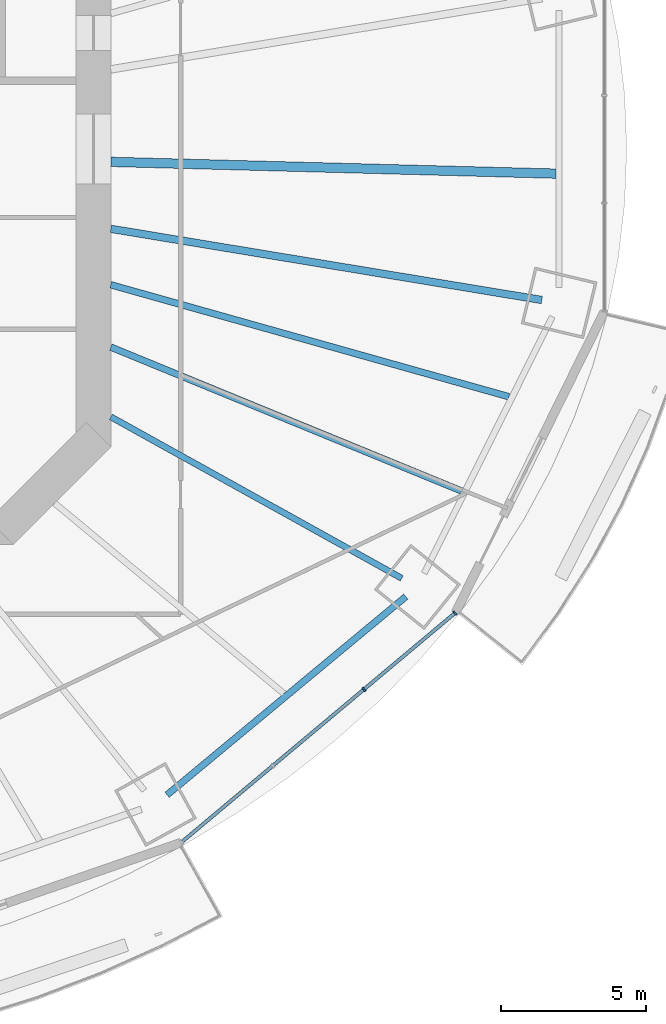
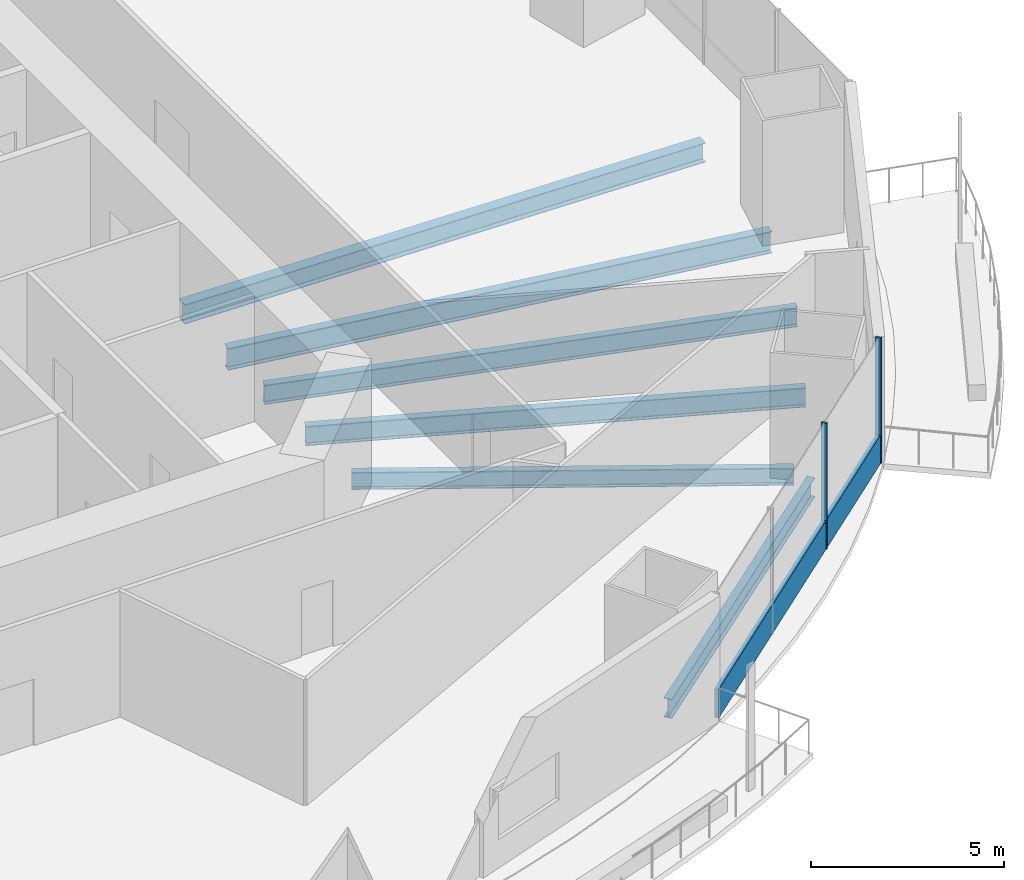
# One storey, part 5 of 22: 6 beams, 3 members, 1 element without a shape of its own.
"""IFC4 building model written with IfcOpenShell, lengths in metres."""

from ifc_helpers import new_model, si_unit, direction, frame, origin, origin_2d, place, context, subcontext, project, spatial, rectangle, i_section, extrude, material, material_profile, profile_set, type_object, element, aggregate, save


model = new_model("IFC4")

# Units and contexts
model_context = context("Model", 3, precision=1e-05, world=origin(), true_north=direction((0.0, 1.0)))
body_context = subcontext(model_context, "Body", "Model", "MODEL_VIEW")
ifc_project = project(units=[si_unit("LENGTHUNIT", "METRE"), si_unit("AREAUNIT", "SQUARE_METRE"), si_unit("VOLUMEUNIT", "CUBIC_METRE"), si_unit("PLANEANGLEUNIT", "RADIAN"), si_unit("MASSUNIT", "GRAM", prefix="KILO")], contexts=[model_context])

# Site, building, storey
site_placement = place(None, origin())
site = spatial("IfcSite", under=ifc_project, at=site_placement, CompositionType="ELEMENT")
building_placement = place(site_placement, origin())
building = spatial("IfcBuilding", under=site, at=building_placement, Name="Marenthal Gate Tower", CompositionType="ELEMENT")
storey_placement = place(building_placement, frame((0.0, 0.0, 107.699951171875)))
storey = spatial("IfcBuildingStorey", under=building, at=storey_placement, Name="L22", CompositionType="ELEMENT", Elevation=107.699951171875)

# Curtain wall, members
ifc_material_1 = material(Name="Aluminium and glass", Category="aluminium")
curtain_wall_type = type_object("IfcCurtainWallType", Name="Curtain wall typical low", PredefinedType="NOTDEFINED", material=ifc_material_1)
curtain_wall_placement = place(storey_placement, origin())
curtain_wall = element("IfcCurtainWall", 1, at=curtain_wall_placement, inside=storey, type_object=curtain_wall_type, Name="Curtain wall L22 bay 14", PredefinedType="NOTDEFINED")
ifc_material_2 = material(Name="Aluminium", Category="aluminium")
ifc_material_profile_1 = material_profile(ifc_material_2, rectangle(XDim=0.159912109375, YDim=0.06005859375, at=origin_2d()), Name="60x160 aluminium mullion")
ifc_profile_set_1 = profile_set([ifc_material_profile_1], Name="Aluminium")
member_type_1 = type_object("IfcMemberType", Name="Mullion 60x160 typical low", PredefinedType="MULLION", material=ifc_profile_set_1)
member_1_placement = place(storey_placement, frame((25.302490234375, -18.5830078125, 0.0), z_axis=(0.0, 0.0, 1.0), x_axis=(-0.642377082487, 0.766388728972, 0.0)))
member_1 = element("IfcMember", 2, at=member_1_placement, type_object=member_type_1, Name="Mullion L22 bay 14.3", PredefinedType="MULLION", context=body_context, shape_type="SweptSolid", body=[
    extrude(rectangle(XDim=0.159912109375, YDim=0.06005859375, at=origin_2d()), origin(), (0.0, 0.0, 1.0), 3.969970703125),
])
member_2_placement = place(storey_placement, frame((28.434814453125, -15.95751953125, 0.0), z_axis=(0.0, 0.0, 1.0), x_axis=(-0.642377082487, 0.766388728972, 0.0)))
member_2 = element("IfcMember", 3, at=member_2_placement, type_object=member_type_1, Name="Mullion L22 bay 14.4", PredefinedType="MULLION", context=body_context, shape_type="SweptSolid", body=[
    extrude(rectangle(XDim=0.159912109375, YDim=0.06005859375, at=origin_2d()), origin(), (0.0, 0.0, 1.0), 3.969970703125),
])
ifc_material_3 = material(Name="Aluminium", Category="aluminium")
ifc_material_profile_2 = material_profile(ifc_material_3, rectangle(XDim=0.1201171875, YDim=0.89990234375, at=origin_2d()), Name="120x900 aluminium transom")
ifc_profile_set_2 = profile_set([ifc_material_profile_2], Name="Aluminium")
member_type_2 = type_object("IfcMemberType", Name="Transom 120x900 typical low", PredefinedType="USERDEFINED", material=ifc_profile_set_2)
member_3_placement = place(storey_placement, frame((19.060791015625, -23.814697265625, 0.449951171875), z_axis=(0.766391084467, 0.64237427225, 0.0), x_axis=(-0.64237427225, 0.766391084467, 0.0)))
member_3 = element("IfcMember", 4, at=member_3_placement, type_object=member_type_2, Name="Transom L22 bay 14", ObjectType="TRANSOM", PredefinedType="USERDEFINED", context=body_context, shape_type="SweptSolid", body=[
    extrude(rectangle(XDim=0.1201171875, YDim=0.89990234375, at=origin_2d()), origin(), (0.0, 0.0, 1.0), 12.201416015625),
])
aggregate(curtain_wall, [member_1, member_2, member_3])

# Beams
ifc_material_4 = material(Name="Steel S355", Category="steel")
ifc_material_profile_3 = material_profile(ifc_material_4, i_section(OverallWidth=0.2119140625, OverallDepth=0.5439453125, WebThickness=0.01318359375, FlangeThickness=0.021240234375, FilletRadius=0.0126953125, at=origin_2d()), Name="W530X123")
ifc_profile_set_3 = profile_set([ifc_material_profile_3], Name="Steel S355")
beam_type_1 = type_object("IfcBeamType", Name="W530X123 beam", PredefinedType="BEAM", material=ifc_profile_set_3)
beam_1_placement = place(storey_placement, frame((26.605224609375, -14.761474609375, -0.451904296875), z_axis=(-0.87442184895, 0.485166394218, 0.0), x_axis=(-0.485166394218, -0.87442184895, 0.0)))
element("IfcBeam", 5, at=beam_1_placement, inside=storey, type_object=beam_type_1, Name="BM-L22-15", PredefinedType="BEAM", context=body_context, shape_type="SweptSolid", body=[
    extrude(i_section(OverallWidth=0.2119140625, OverallDepth=0.5439453125, WebThickness=0.01318359375, FlangeThickness=0.021240234375, FilletRadius=0.0126953125, at=origin_2d()), origin(), (0.0, 0.0, 1.0), 11.44189453125),
])
ifc_material_5 = material(Name="Steel S355", Category="steel")
ifc_material_profile_4 = material_profile(ifc_material_5, i_section(OverallWidth=0.22900390625, OverallDepth=0.612060546875, WebThickness=0.011962890625, FlangeThickness=0.01953125, FilletRadius=0.0126953125, at=origin_2d()), Name="W610X125")
ifc_profile_set_4 = profile_set([ifc_material_profile_4], Name="Steel S355")
beam_type_2 = type_object("IfcBeamType", Name="W610X125 beam", PredefinedType="BEAM", material=ifc_profile_set_4)
beam_2_placement = place(storey_placement, frame((28.670654296875, -11.7626953125, -0.48583984375), z_axis=(-0.925165248612, 0.379564569949, 0.0), x_axis=(-0.379564569949, -0.925165248612, 0.0)))
element("IfcBeam", 6, at=beam_2_placement, inside=storey, type_object=beam_type_2, Name="BM-L22-38", PredefinedType="BEAM", context=body_context, shape_type="SweptSolid", body=[
    extrude(i_section(OverallWidth=0.22900390625, OverallDepth=0.612060546875, WebThickness=0.011962890625, FlangeThickness=0.01953125, FilletRadius=0.0126953125, at=origin_2d()), origin(), (0.0, 0.0, 1.0), 13.046875),
])
beam_3_placement = place(storey_placement, frame((30.2900390625, -8.5166015625, -0.48583984375), z_axis=(-0.962672470775, 0.270669011917, 0.0), x_axis=(-0.270669011917, -0.962672470775, 0.0)))
element("IfcBeam", 7, at=beam_3_placement, inside=storey, type_object=beam_type_2, Name="BM-L22-39", PredefinedType="BEAM", context=body_context, shape_type="SweptSolid", body=[
    extrude(i_section(OverallWidth=0.22900390625, OverallDepth=0.612060546875, WebThickness=0.011962890625, FlangeThickness=0.01953125, FilletRadius=0.0126953125, at=origin_2d()), origin(), (0.0, 0.0, 1.0), 14.220703125),
])
beam_4_placement = place(storey_placement, frame((18.535400390625, -22.208740234375, -0.48583984375), z_axis=(0.769349195684, 0.638828470796, 0.0), x_axis=(-0.638828470796, 0.769349195684, 0.0)))
element("IfcBeam", 8, at=beam_4_placement, inside=storey, type_object=beam_type_2, Name="BM-L22-54", PredefinedType="BEAM", context=body_context, shape_type="SweptSolid", body=[
    extrude(i_section(OverallWidth=0.22900390625, OverallDepth=0.612060546875, WebThickness=0.011962890625, FlangeThickness=0.01953125, FilletRadius=0.0126953125, at=origin_2d()), origin(), (0.0, 0.0, 1.0), 10.66943359375),
])
ifc_material_6 = material(Name="Steel S355", Category="steel")
ifc_material_profile_5 = material_profile(ifc_material_6, i_section(OverallWidth=0.324951171875, OverallDepth=0.612060546875, WebThickness=0.0126953125, FlangeThickness=0.01904296875, FilletRadius=0.0126953125, at=origin_2d()), Name="W610X155")
ifc_profile_set_5 = profile_set([ifc_material_profile_5], Name="Steel S355")
beam_type_3 = type_object("IfcBeamType", Name="W610X155 beam", PredefinedType="BEAM", material=ifc_profile_set_5)
beam_5_placement = place(storey_placement, frame((31.91259765625, -0.843505859375, -0.48583984375), z_axis=(-0.999650779754, 0.02642571736, 0.0), x_axis=(-0.02642571736, -0.999650779754, 0.0)))
element("IfcBeam", 9, at=beam_5_placement, inside=storey, type_object=beam_type_3, Name="BM-L22-40", PredefinedType="BEAM", context=body_context, shape_type="SweptSolid", body=[
    extrude(i_section(OverallWidth=0.324951171875, OverallDepth=0.612060546875, WebThickness=0.0126953125, FlangeThickness=0.01904296875, FilletRadius=0.0126953125, at=origin_2d()), origin(), (0.0, 0.0, 1.0), 15.31787109375),
])
ifc_material_7 = material(Name="Steel S355", Category="steel")
ifc_material_profile_6 = material_profile(ifc_material_7, i_section(OverallWidth=0.257080078125, OverallDepth=0.693115234375, WebThickness=0.014404296875, FlangeThickness=0.023681640625, FilletRadius=0.015380859375, at=origin_2d()), Name="W690X170")
ifc_profile_set_6 = profile_set([ifc_material_profile_6], Name="Steel S355")
beam_type_4 = type_object("IfcBeamType", Name="W690X170 beam", PredefinedType="BEAM", material=ifc_profile_set_6)
beam_6_placement = place(storey_placement, frame((31.423828125, -5.190185546875, -0.5263671875), z_axis=(-0.986631792526, 0.162965352074, 0.0), x_axis=(-0.162965352074, -0.986631792526, 0.0)))
element("IfcBeam", 10, at=beam_6_placement, inside=storey, type_object=beam_type_4, Name="BM-L22-16", PredefinedType="BEAM", context=body_context, shape_type="SweptSolid", body=[
    extrude(i_section(OverallWidth=0.257080078125, OverallDepth=0.693115234375, WebThickness=0.014404296875, FlangeThickness=0.023681640625, FilletRadius=0.015380859375, at=origin_2d()), origin(), (0.0, 0.0, 1.0), 15.024658203125),
])

save(model, "model.ifc")
